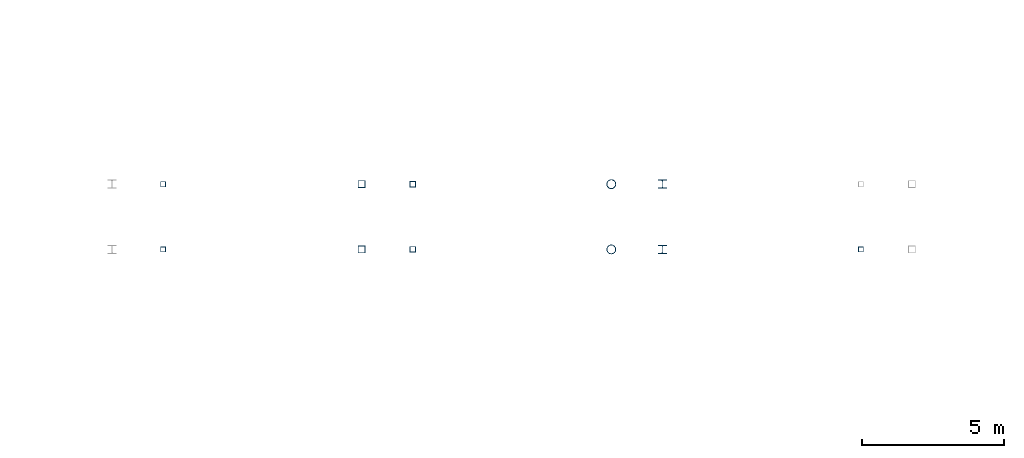
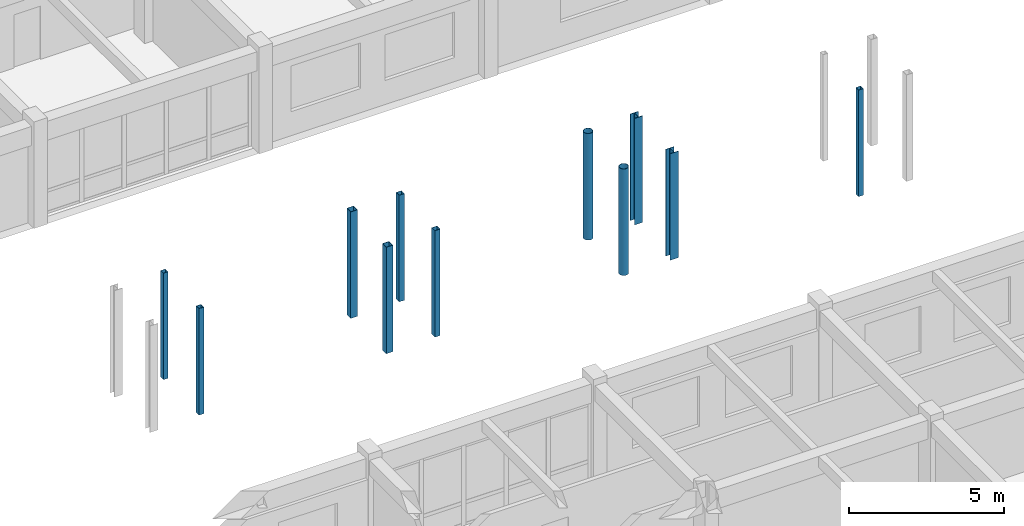
# One storey, part 14 of 90: 11 columns.
"""IFC4 building model written with IfcOpenShell, lengths in metres."""

from ifc_helpers import new_model, si_unit, direction, frame, origin, origin_2d, place, context, subcontext, project, spatial, hollow_rectangle, hollow_circle, i_section, extrude, material, material_profile, profile_set, type_object, element, save


model = new_model("IFC4")

# Units and contexts
model_context = context("Model", 3, precision=1e-05, world=origin(), true_north=direction((0.0, 1.0)))
body_context = subcontext(model_context, "Body", "Model", "MODEL_VIEW")
ifc_project = project(units=[si_unit("LENGTHUNIT", "METRE"), si_unit("AREAUNIT", "SQUARE_METRE"), si_unit("VOLUMEUNIT", "CUBIC_METRE"), si_unit("PLANEANGLEUNIT", "RADIAN"), si_unit("MASSUNIT", "GRAM", prefix="KILO")], contexts=[model_context])

# Site, building, storey
site_placement = place(None, origin())
site = spatial("IfcSite", under=ifc_project, at=site_placement, CompositionType="ELEMENT")
building_placement = place(site_placement, origin())
building = spatial("IfcBuilding", under=site, at=building_placement, Name="Malvenik Polytechnic", CompositionType="ELEMENT")
storey_placement = place(building_placement, frame((0.0, 0.0, 9.300048828125)))
storey = spatial("IfcBuildingStorey", under=building, at=storey_placement, Name="L02", CompositionType="ELEMENT", Elevation=9.300048828125)

# Columns
ifc_material_1 = material(Name="Steel S355J2H", Category="steel")
ifc_material_profile_1 = material_profile(ifc_material_1, hollow_rectangle(XDim=0.25, YDim=0.25, WallThickness=0.010009765625, at=origin_2d()), Name="SHS 250x250x10.0")
ifc_profile_set_1 = profile_set([ifc_material_profile_1], Name="Steel S355J2H")
column_type_1 = type_object("IfcColumnType", Name="STR-SCOL-SC-01", PredefinedType="COLUMN", material=ifc_profile_set_1)
for number, where, z_axis, x_axis, name in (
    (1, (39.800048828125, 103.14990234375, 0.0), (0.0, 0.0, 1.0), (1.0, 0.0, 0.0), "Bridge-Ramp Support Column SC-01 L02"),
    (2, (39.800048828125, 105.449951171875, 0.0), (0.0, 0.0, 1.0), (1.0, 0.0, 0.0), "Bridge-Ramp Support Column SC-01 L02"),
):
    element("IfcColumn", number, at=place(storey_placement, frame(where, z_axis=z_axis, x_axis=x_axis)), inside=storey, type_object=column_type_1, Name=name, PredefinedType="COLUMN", context=body_context, shape_type="SweptSolid", body=[
        extrude(hollow_rectangle(XDim=0.25, YDim=0.25, WallThickness=0.010009765625, at=origin_2d()), origin(), (0.0, 0.0, 1.0), 4.199951171875),
    ])
ifc_material_profile_2 = material_profile(ifc_material_1, hollow_rectangle(XDim=0.199951171875, YDim=0.199951171875, WallThickness=0.010009765625, at=origin_2d()), Name="SHS 200x200x10.0")
ifc_profile_set_2 = profile_set([ifc_material_profile_2], Name="Steel S355J2H")
column_type_2 = type_object("IfcColumnType", Name="STR-SCOL-SC-02", PredefinedType="COLUMN", material=ifc_profile_set_2)
for number, where, z_axis, x_axis, name in (
    (3, (41.60009765625, 103.14990234375, 0.0), (0.0, 0.0, 1.0), (1.0, 0.0, 0.0), "Bridge-Ramp Support Column SC-02 L02"),
    (4, (41.60009765625, 105.449951171875, 0.0), (0.0, 0.0, 1.0), (1.0, 0.0, 0.0), "Bridge-Ramp Support Column SC-02 L02"),
):
    element("IfcColumn", number, at=place(storey_placement, frame(where, z_axis=z_axis, x_axis=x_axis)), inside=storey, type_object=column_type_2, Name=name, PredefinedType="COLUMN", context=body_context, shape_type="SweptSolid", body=[
        extrude(hollow_rectangle(XDim=0.199951171875, YDim=0.199951171875, WallThickness=0.010009765625, at=origin_2d()), origin(), (0.0, 0.0, 1.0), 4.199951171875),
    ])
ifc_material_profile_3 = material_profile(ifc_material_1, hollow_circle(Radius=0.161865234375, WallThickness=0.012451171875, at=origin_2d()), Name="CHS 323.9x12.5")
ifc_profile_set_3 = profile_set([ifc_material_profile_3], Name="Steel S355J2H")
column_type_3 = type_object("IfcColumnType", Name="STR-SCOL-SC-04", PredefinedType="COLUMN", material=ifc_profile_set_3)
for number, where, z_axis, x_axis, name in (
    (5, (48.60009765625, 103.14990234375, 0.0), (0.0, 0.0, 1.0), (1.0, 0.0, 0.0), "Bridge-Ramp Support Column SC-04 L02"),
    (6, (48.60009765625, 105.449951171875, 0.0), (0.0, 0.0, 1.0), (1.0, 0.0, 0.0), "Bridge-Ramp Support Column SC-04 L02"),
):
    element("IfcColumn", number, at=place(storey_placement, frame(where, z_axis=z_axis, x_axis=x_axis)), inside=storey, type_object=column_type_3, Name=name, PredefinedType="COLUMN", context=body_context, shape_type="SweptSolid", body=[
        extrude(hollow_circle(Radius=0.161865234375, WallThickness=0.012451171875, at=origin_2d()), origin(), (0.0, 0.0, 1.0), 4.199951171875),
    ])
ifc_material_2 = material(Name="Steel S355", Category="steel")
ifc_material_profile_4 = material_profile(ifc_material_2, i_section(OverallWidth=0.300048828125, OverallDepth=0.300048828125, WebThickness=0.010986328125, FlangeThickness=0.01904296875, FilletRadius=0.027099609375, at=origin_2d()), Name="HEB 300")
ifc_profile_set_4 = profile_set([ifc_material_profile_4], Name="Steel S355")
column_type_4 = type_object("IfcColumnType", Name="STR-SCOL-SC-05", PredefinedType="COLUMN", material=ifc_profile_set_4)
for number, where, z_axis, x_axis, name in (
    (7, (50.39990234375, 103.14990234375, 0.0), (0.0, 0.0, 1.0), (1.0, 0.0, 0.0), "Bridge-Ramp Support Column SC-05 L02"),
    (8, (50.39990234375, 105.449951171875, 0.0), (0.0, 0.0, 1.0), (1.0, 0.0, 0.0), "Bridge-Ramp Support Column SC-05 L02"),
):
    element("IfcColumn", number, at=place(storey_placement, frame(where, z_axis=z_axis, x_axis=x_axis)), inside=storey, type_object=column_type_4, Name=name, PredefinedType="COLUMN", context=body_context, shape_type="SweptSolid", body=[
        extrude(i_section(OverallWidth=0.300048828125, OverallDepth=0.300048828125, WebThickness=0.010986328125, FlangeThickness=0.01904296875, FilletRadius=0.027099609375, at=origin_2d()), origin(), (0.0, 0.0, 1.0), 4.199951171875),
    ])
ifc_material_profile_5 = material_profile(ifc_material_1, hollow_rectangle(XDim=0.179931640625, YDim=0.179931640625, WallThickness=0.008056640625, at=origin_2d()), Name="SHS 180x180x8.0")
ifc_profile_set_5 = profile_set([ifc_material_profile_5], Name="Steel S355J2H")
column_type_5 = type_object("IfcColumnType", Name="STR-SCOL-SC-06", PredefinedType="COLUMN", material=ifc_profile_set_5)
for number, where, z_axis, x_axis, name in (
    (9, (32.800048828125, 103.14990234375, 0.0), (0.0, 0.0, 1.0), (1.0, 0.0, 0.0), "Bridge-Ramp Support Column SC-06 L02"),
    (10, (32.800048828125, 105.449951171875, 0.0), (0.0, 0.0, 1.0), (1.0, 0.0, 0.0), "Bridge-Ramp Support Column SC-06 L02"),
    (11, (57.39990234375, 103.14990234375, 0.0), (0.0, 0.0, 1.0), (1.0, 0.0, 0.0), "Bridge-Ramp Support Column SC-06 L02"),
):
    element("IfcColumn", number, at=place(storey_placement, frame(where, z_axis=z_axis, x_axis=x_axis)), inside=storey, type_object=column_type_5, Name=name, PredefinedType="COLUMN", context=body_context, shape_type="SweptSolid", body=[
        extrude(hollow_rectangle(XDim=0.179931640625, YDim=0.179931640625, WallThickness=0.008056640625, at=origin_2d()), origin(), (0.0, 0.0, 1.0), 4.199951171875),
    ])

save(model, "model.ifc")
